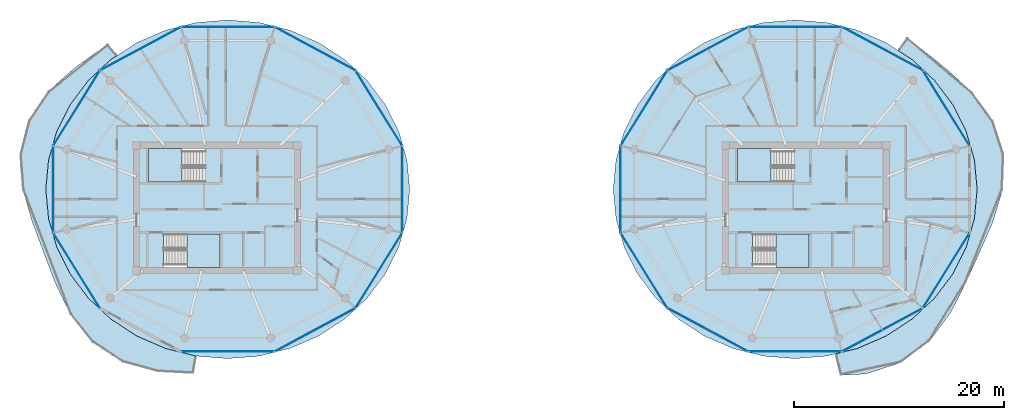
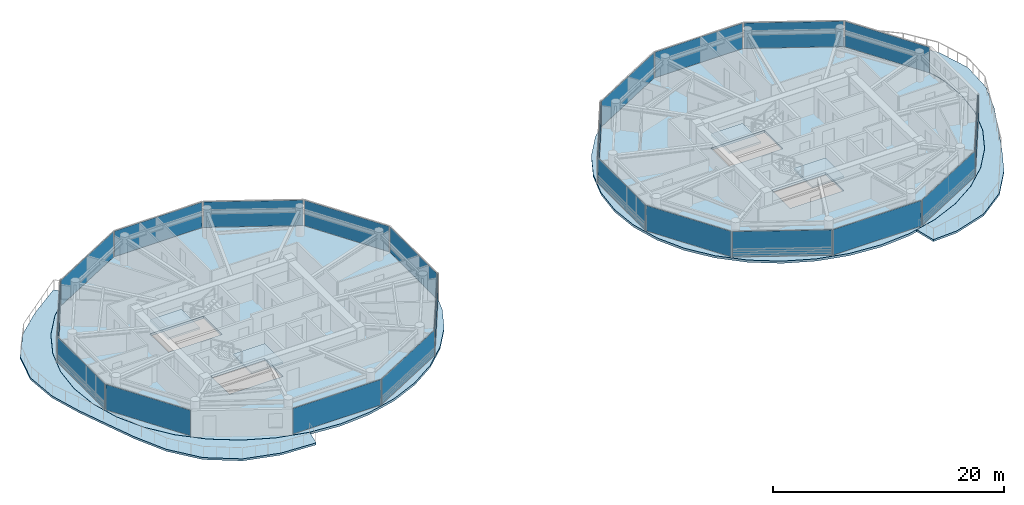
# One storey, part 12 of 23: 22 plates, 8 slabs, 26 elements without a shape of their own.
"""IFC4 building model written with IfcOpenShell, lengths in metres."""

from ifc_helpers import new_model, si_unit, direction, frame, origin, origin_2d, place, context, subcontext, project, spatial, polyline, rectangle, outline, extrude, source, transform, mapped, material, layer, layer_set, type_object, type_shapes, element, aggregate, save


model = new_model("IFC4")

# Units and contexts
model_context = context("Model", 3, precision=1e-05, world=origin(), true_north=direction((0.0, 1.0)))
body_context = subcontext(model_context, "Body", "Model", "MODEL_VIEW")
ifc_project = project(units=[si_unit("LENGTHUNIT", "METRE"), si_unit("AREAUNIT", "SQUARE_METRE"), si_unit("VOLUMEUNIT", "CUBIC_METRE"), si_unit("PLANEANGLEUNIT", "RADIAN"), si_unit("MASSUNIT", "GRAM", prefix="KILO")], contexts=[model_context])

# Site, building, storey
site_placement = place(None, origin())
site = spatial("IfcSite", under=ifc_project, at=site_placement, CompositionType="ELEMENT")
building_placement = place(site_placement, origin())
building = spatial("IfcBuilding", under=site, at=building_placement, Name="Norrkilde Senior Care Towers", CompositionType="ELEMENT")
storey_placement = place(building_placement, frame((0.0, 0.0, 158.699951171875)))
storey = spatial("IfcBuildingStorey", under=building, at=storey_placement, Name="L49", CompositionType="ELEMENT", Elevation=158.699951171875)

# Slabs
ifc_material_1 = material(Name="Concrete C50/60", Category="concrete")
ifc_layer_1 = layer(ifc_material_1, 0.215087890625)
ifc_layer_set_1 = layer_set([ifc_layer_1], Name="Concrete C50/60")
slab_type_1 = type_object("IfcSlabType", Name="Sinusoidal Balcony Ribbon Slab 215", PredefinedType="FLOOR", material=ifc_layer_set_1)
slab_1_placement = place(storey_placement, frame((0.0, 0.0, -0.21484375)))
element("IfcSlab", 1, at=slab_1_placement, inside=storey, type_object=slab_type_1, Name="L49 Drum W Swirling Senior Balcony 1", PredefinedType="FLOOR", context=body_context, shape_type="SweptSolid", body=[
    extrude(outline(polyline([(-33.642333984375, -15.568603515625), (-36.9658203125, -14.663330078125), (-39.831787109375, -12.78173828125), (-41.945068359375, -10.1220703125), (-43.3759765625, -7.15478515625), (-44.49072265625, -4.2236328125), (-45.571044921875, -1.315673828125), (-46.48095703125, 1.775390625), (-46.731201171875, 5.086181640625), (-45.904541015625, 8.3271484375), (-44.03076171875, 11.11181640625), (-41.553466796875, 13.31982421875), (-38.940185546875, 15.19091796875), (-38.362548828125, 15.60009765625), (-37.472900390625, 14.52001953125), (-38.098388671875, 14.112548828125), (-40.2314453125, 12.12744140625), (-41.961669921875, 9.827880859375), (-43.236328125, 7.28369140625), (-44.01708984375, 4.572021484375), (-44.280029296875, 1.775390625), (-44.01708984375, -1.021240234375), (-43.236328125, -3.73291015625), (-41.961669921875, -6.277099609375), (-40.2314453125, -8.57666015625), (-38.098388671875, -10.561767578125), (-35.62744140625, -12.171875), (-32.8935546875, -13.3583984375), (-29.97998046875, -14.0849609375), (-29.92431640625, -14.089599609375), (-30.232666015625, -15.7490234375), (-30.2529296875, -15.749267578125), (-33.642333984375, -15.568603515625)])), origin(), (0.0, 0.0, 1.0), 0.21484375),
])
slab_2_placement = place(storey_placement, frame((0.0, 0.0, -0.21484375)))
element("IfcSlab", 2, at=slab_2_placement, inside=storey, type_object=slab_type_1, Name="L49 Drum E Swirling Senior Balcony 1", PredefinedType="FLOOR", context=body_context, shape_type="SweptSolid", body=[
    extrude(outline(polyline([(43.230224609375, -7.064453125), (41.765625, -9.960205078125), (39.746337890625, -12.672119140625), (36.99560546875, -14.718505859375), (33.712646484375, -15.77685546875), (31.280029296875, -15.911376953125), (30.78662109375, -13.8837890625), (32.8935546875, -13.3583984375), (35.62744140625, -12.171875), (38.098388671875, -10.561767578125), (40.2314453125, -8.57666015625), (41.961669921875, -6.277099609375), (43.236328125, -3.73291015625), (44.01708984375, -1.021240234375), (44.280029296875, 1.775390625), (44.01708984375, 4.572021484375), (43.236328125, 7.28369140625), (41.961669921875, 9.827880859375), (40.2314453125, 12.12744140625), (38.098388671875, 14.112548828125), (36.7373046875, 14.99951171875), (37.6328125, 16.21240234375), (38.92724609375, 15.174072265625), (41.406005859375, 13.186767578125), (43.831787109375, 10.98828125), (45.80908203125, 8.289794921875), (46.83203125, 5.10546875), (46.71533203125, 1.775390625), (45.76611328125, -1.352783203125), (44.510498046875, -4.231201171875), (43.230224609375, -7.064453125)])), origin(), (0.0, 0.0, 1.0), 0.21484375),
])

# Stair, slab
ifc_material_2 = material(Name="Concrete C45/55", Category="concrete")
stair_type = type_object("IfcStairType", Name="Core Protected Dogleg Stair Typical 3050", PredefinedType="HALF_TURN_STAIR", material=ifc_material_2)
stair_1_placement = place(storey_placement, origin())
stair_1 = element("IfcStair", 3, at=stair_1_placement, inside=storey, type_object=stair_type, Name="L49 Protected Core Stair W1", PredefinedType="HALF_TURN_STAIR")
ifc_layer_2 = layer(ifc_material_2, 0.199951171875)
ifc_layer_set_2 = layer_set([ifc_layer_2], Name="Concrete C45/55")
slab_type_2 = type_object("IfcSlabType", Name="Stair Landing Slab 200", PredefinedType="LANDING", material=ifc_layer_set_2)
slab_3_placement = place(storey_placement, frame((0.0, 0.0, 1.324951171875)))
slab_3 = element("IfcSlab", 4, at=slab_3_placement, type_object=slab_type_2, Name="ST-W1 landing 1", PredefinedType="LANDING", context=body_context, shape_type="SweptSolid", body=[
    extrude(outline(polyline([(-31.340087890625, 5.639892578125), (-34.5, 5.639892578125), (-34.5, 2.449951171875), (-31.340087890625, 2.449951171875), (-31.340087890625, 5.639892578125)])), origin(), (0.0, 0.0, 1.0), 0.2001953125),
])
aggregate(stair_1, [slab_3])

stair_2_placement = place(storey_placement, origin())
stair_2 = element("IfcStair", 5, at=stair_2_placement, inside=storey, type_object=stair_type, Name="L49 Protected Core Stair W2", PredefinedType="HALF_TURN_STAIR")
slab_4_placement = place(storey_placement, frame((0.0, 0.0, 1.324951171875)))
slab_4 = element("IfcSlab", 6, at=slab_4_placement, type_object=slab_type_2, Name="ST-W2 landing 1", PredefinedType="LANDING", context=body_context, shape_type="SweptSolid", body=[
    extrude(outline(polyline([(-30.860107421875, -5.639892578125), (-27.699951171875, -5.639892578125), (-27.699951171875, -2.449951171875), (-30.860107421875, -2.449951171875), (-30.860107421875, -5.639892578125)])), origin(), (0.0, 0.0, 1.0), 0.2001953125),
])
aggregate(stair_2, [slab_4])

stair_3_placement = place(storey_placement, origin())
stair_3 = element("IfcStair", 7, at=stair_3_placement, inside=storey, type_object=stair_type, Name="L49 Protected Core Stair E1", PredefinedType="HALF_TURN_STAIR")
slab_5_placement = place(storey_placement, frame((0.0, 0.0, 1.324951171875)))
slab_5 = element("IfcSlab", 8, at=slab_5_placement, type_object=slab_type_2, Name="ST-E1 landing 1", PredefinedType="LANDING", context=body_context, shape_type="SweptSolid", body=[
    extrude(outline(polyline([(24.659912109375, 5.639892578125), (21.5, 5.639892578125), (21.5, 2.449951171875), (24.659912109375, 2.449951171875), (24.659912109375, 5.639892578125)])), origin(), (0.0, 0.0, 1.0), 0.2001953125),
])
aggregate(stair_3, [slab_5])

stair_4_placement = place(storey_placement, origin())
stair_4 = element("IfcStair", 9, at=stair_4_placement, inside=storey, type_object=stair_type, Name="L49 Protected Core Stair E2", PredefinedType="HALF_TURN_STAIR")
slab_6_placement = place(storey_placement, frame((0.0, 0.0, 1.324951171875)))
slab_6 = element("IfcSlab", 10, at=slab_6_placement, type_object=slab_type_2, Name="ST-E2 landing 1", PredefinedType="LANDING", context=body_context, shape_type="SweptSolid", body=[
    extrude(outline(polyline([(25.139892578125, -5.639892578125), (28.300048828125, -5.639892578125), (28.300048828125, -2.449951171875), (25.139892578125, -2.449951171875), (25.139892578125, -5.639892578125)])), origin(), (0.0, 0.0, 1.0), 0.2001953125),
])
aggregate(stair_4, [slab_6])

# Slabs
ifc_layer_3 = layer(ifc_material_1, 0.239990234375)
ifc_layer_set_3 = layer_set([ifc_layer_3], Name="Concrete C50/60")
slab_type_3 = type_object("IfcSlabType", Name="Tower Residence Floor Slab 240", PredefinedType="FLOOR", material=ifc_layer_set_3)
slab_7_placement = place(storey_placement, frame((0.0, 0.0, -0.239990234375)))
element("IfcSlab", 11, at=slab_7_placement, inside=storey, type_object=slab_type_3, Name="L49 Drum W Structural Floor Slab", PredefinedType="FLOOR", context=body_context, shape_type="SweptSolid", body=[
    extrude(outline(polyline([(-10.71826171875, -3.731201171875), (-11.99267578125, -6.274658203125), (-13.722412109375, -8.573486328125), (-15.854736328125, -10.557861328125), (-18.324951171875, -12.167724609375), (-21.05810546875, -13.353759765625), (-23.970947265625, -14.080078125), (-26.97509765625, -14.32470703125), (-29.97900390625, -14.080078125), (-32.891845703125, -13.353759765625), (-35.625, -12.167724609375), (-38.09521484375, -10.557861328125), (-40.2275390625, -8.573486328125), (-41.957275390625, -6.274658203125), (-43.231689453125, -3.731201171875), (-44.01220703125, -1.020263671875), (-44.27490234375, 1.775390625), (-44.01220703125, 4.571044921875), (-43.231689453125, 7.281982421875), (-41.957275390625, 9.825439453125), (-40.2275390625, 12.124267578125), (-38.09521484375, 14.108642578125), (-35.625, 15.71826171875), (-32.891845703125, 16.904296875), (-29.97900390625, 17.630859375), (-26.97509765625, 17.875244140625), (-23.970947265625, 17.630859375), (-21.05810546875, 16.904296875), (-18.324951171875, 15.71826171875), (-15.854736328125, 14.108642578125), (-13.722412109375, 12.124267578125), (-11.99267578125, 9.825439453125), (-10.71826171875, 7.281982421875), (-9.937744140625, 4.571044921875), (-9.675048828125, 1.775390625), (-9.937744140625, -1.020263671875), (-10.71826171875, -3.731201171875)]), holes=[polyline([(-34.48193359375, 2.468017578125), (-29.117919921875, 2.468017578125), (-29.117919921875, 5.639892578125), (-34.48193359375, 5.639892578125), (-34.48193359375, 2.468017578125)]), polyline([(-27.718017578125, -5.639892578125), (-27.718017578125, -2.468017578125), (-33.08203125, -2.468017578125), (-33.08203125, -5.639892578125), (-27.718017578125, -5.639892578125)])]), origin(), (0.0, 0.0, 1.0), 0.239990234375),
])
slab_8_placement = place(storey_placement, frame((0.0, 0.0, -0.239990234375)))
element("IfcSlab", 12, at=slab_8_placement, inside=storey, type_object=slab_type_3, Name="L49 Drum E Structural Floor Slab", PredefinedType="FLOOR", context=body_context, shape_type="SweptSolid", body=[
    extrude(outline(polyline([(43.231689453125, -3.731201171875), (41.957275390625, -6.274658203125), (40.2275390625, -8.573486328125), (38.09521484375, -10.557861328125), (35.625, -12.167724609375), (32.891845703125, -13.353759765625), (29.97900390625, -14.080078125), (26.97509765625, -14.32470703125), (23.970947265625, -14.080078125), (21.05810546875, -13.353759765625), (18.324951171875, -12.167724609375), (15.854736328125, -10.557861328125), (13.722412109375, -8.573486328125), (11.99267578125, -6.274658203125), (10.71826171875, -3.731201171875), (9.937744140625, -1.020263671875), (9.675048828125, 1.775390625), (9.937744140625, 4.571044921875), (10.71826171875, 7.281982421875), (11.99267578125, 9.825439453125), (13.722412109375, 12.124267578125), (15.854736328125, 14.108642578125), (18.324951171875, 15.71826171875), (21.05810546875, 16.904296875), (23.970947265625, 17.630859375), (26.97509765625, 17.875244140625), (29.97900390625, 17.630859375), (32.891845703125, 16.904296875), (35.625, 15.71826171875), (38.09521484375, 14.108642578125), (40.2275390625, 12.124267578125), (41.957275390625, 9.825439453125), (43.231689453125, 7.281982421875), (44.01220703125, 4.571044921875), (44.27490234375, 1.775390625), (44.01220703125, -1.020263671875), (43.231689453125, -3.731201171875)]), holes=[polyline([(21.51806640625, 2.468017578125), (26.882080078125, 2.468017578125), (26.882080078125, 5.639892578125), (21.51806640625, 5.639892578125), (21.51806640625, 2.468017578125)]), polyline([(28.281982421875, -5.639892578125), (28.281982421875, -2.468017578125), (22.91796875, -2.468017578125), (22.91796875, -5.639892578125), (28.281982421875, -5.639892578125)])]), origin(), (0.0, 0.0, 1.0), 0.239990234375),
])

# Curtain wall, plate
ifc_material_3 = material(Name="Triple Low-E Insulated Glazing", Category="glass")
ifc_layer_4 = layer(ifc_material_3, 0.18994140625)
ifc_layer_set_4 = layer_set([ifc_layer_4], Name="Triple Low-E Insulated Glazing")
curtain_wall_type = type_object("IfcCurtainWallType", Name="CW4 Zone 3 Senior Residence Curtain Wall", PredefinedType="NOTDEFINED", material=ifc_layer_set_4)
curtain_wall_1_placement = place(storey_placement, origin())
curtain_wall_1 = element("IfcCurtainWall", 13, at=curtain_wall_1_placement, inside=storey, type_object=curtain_wall_type, Name="L49 Drum W Curtain Wall 00", PredefinedType="NOTDEFINED")
ifc_layer_5 = layer(ifc_material_3, 0.035888671875)
ifc_layer_set_5 = layer_set([ifc_layer_5], Name="Triple Low-E Insulated Glazing")
plate_type = type_object("IfcPlateType", Name="Triple Low-E Vision Curtain Panel 36", PredefinedType="CURTAIN_PANEL", material=ifc_layer_set_5)
shared_shape_1 = source(origin(), body_context, "Body", "SweptSolid", [
    extrude(rectangle(XDim=8.301513671875, YDim=0.035888671875, at=origin_2d()), origin(), (0.0, 0.0, 1.0), 2.68994140625),
])
plate_1_placement = place(storey_placement, frame((-12.603759765625, 9.4931640625, 0.06005859375), z_axis=(0.0, 0.0, 1.0), x_axis=(0.52737270789, -0.84963405474, 0.0)))
plate_1 = element("IfcPlate", 14, at=plate_1_placement, type_object=plate_type, Name="CW-4 panel 1.1", PredefinedType="CURTAIN_PANEL", context=body_context, shape_type="MappedRepresentation", body=[
    mapped(shared_shape_1, transform((0.0, 0.0, 0.0), x_axis=(1.0, 0.0, 0.0), y_axis=(0.0, 1.0, 0.0), z_axis=(0.0, 0.0, 1.0), scale=1.0)),
])
aggregate(curtain_wall_1, [plate_1])

curtain_wall_2_placement = place(storey_placement, origin())
curtain_wall_2 = element("IfcCurtainWall", 15, at=curtain_wall_2_placement, inside=storey, type_object=curtain_wall_type, Name="L49 Drum W Curtain Wall 04", PredefinedType="NOTDEFINED")
plate_2_placement = place(storey_placement, frame((-41.346435546875, 9.4931640625, 0.06005859375), z_axis=(0.0, 0.0, 1.0), x_axis=(0.52737270789, 0.84963405474, 0.0)))
plate_2 = element("IfcPlate", 16, at=plate_2_placement, type_object=plate_type, Name="CW-4 panel 1.1", PredefinedType="CURTAIN_PANEL", context=body_context, shape_type="MappedRepresentation", body=[
    mapped(shared_shape_1, transform((0.0, 0.0, 0.0), x_axis=(1.0, 0.0, 0.0), y_axis=(0.0, 1.0, 0.0), z_axis=(0.0, 0.0, 1.0), scale=1.0)),
])
aggregate(curtain_wall_2, [plate_2])

curtain_wall_3_placement = place(storey_placement, origin())
curtain_wall_3 = element("IfcCurtainWall", 17, at=curtain_wall_3_placement, inside=storey, type_object=curtain_wall_type, Name="L49 Drum W Curtain Wall 06", PredefinedType="NOTDEFINED")
plate_3_placement = place(storey_placement, frame((-41.346435546875, -5.9423828125, 0.06005859375), z_axis=(0.0, 0.0, 1.0), x_axis=(-0.52737270789, 0.84963405474, 0.0)))
plate_3 = element("IfcPlate", 18, at=plate_3_placement, type_object=plate_type, Name="CW-4 panel 1.1", PredefinedType="CURTAIN_PANEL", context=body_context, shape_type="MappedRepresentation", body=[
    mapped(shared_shape_1, transform((0.0, 0.0, 0.0), x_axis=(1.0, 0.0, 0.0), y_axis=(0.0, 1.0, 0.0), z_axis=(0.0, 0.0, 1.0), scale=1.0)),
])
aggregate(curtain_wall_3, [plate_3])

curtain_wall_4_placement = place(storey_placement, origin())
curtain_wall_4 = element("IfcCurtainWall", 19, at=curtain_wall_4_placement, inside=storey, type_object=curtain_wall_type, Name="L49 Drum W Curtain Wall 10", PredefinedType="NOTDEFINED")
plate_4_placement = place(storey_placement, frame((-12.603759765625, -5.9423828125, 0.06005859375), z_axis=(0.0, 0.0, 1.0), x_axis=(-0.52737270789, -0.84963405474, 0.0)))
plate_4 = element("IfcPlate", 20, at=plate_4_placement, type_object=plate_type, Name="CW-4 panel 1.1", PredefinedType="CURTAIN_PANEL", context=body_context, shape_type="MappedRepresentation", body=[
    mapped(shared_shape_1, transform((0.0, 0.0, 0.0), x_axis=(1.0, 0.0, 0.0), y_axis=(0.0, 1.0, 0.0), z_axis=(0.0, 0.0, 1.0), scale=1.0)),
])
aggregate(curtain_wall_4, [plate_4])

curtain_wall_5_placement = place(storey_placement, origin())
curtain_wall_5 = element("IfcCurtainWall", 21, at=curtain_wall_5_placement, inside=storey, type_object=curtain_wall_type, Name="L49 Drum E Curtain Wall 00", PredefinedType="NOTDEFINED")
plate_5_placement = place(storey_placement, frame((41.346435546875, 9.4931640625, 0.06005859375), z_axis=(0.0, 0.0, 1.0), x_axis=(0.52737270789, -0.84963405474, 0.0)))
plate_5 = element("IfcPlate", 22, at=plate_5_placement, type_object=plate_type, Name="CW-4 panel 1.1", PredefinedType="CURTAIN_PANEL", context=body_context, shape_type="MappedRepresentation", body=[
    mapped(shared_shape_1, transform((0.0, 0.0, 0.0), x_axis=(1.0, 0.0, 0.0), y_axis=(0.0, 1.0, 0.0), z_axis=(0.0, 0.0, 1.0), scale=1.0)),
])
aggregate(curtain_wall_5, [plate_5])

curtain_wall_6_placement = place(storey_placement, origin())
curtain_wall_6 = element("IfcCurtainWall", 23, at=curtain_wall_6_placement, inside=storey, type_object=curtain_wall_type, Name="L49 Drum E Curtain Wall 04", PredefinedType="NOTDEFINED")
plate_6_placement = place(storey_placement, frame((12.603759765625, 9.4931640625, 0.06005859375), z_axis=(0.0, 0.0, 1.0), x_axis=(0.52737270789, 0.84963405474, 0.0)))
plate_6 = element("IfcPlate", 24, at=plate_6_placement, type_object=plate_type, Name="CW-4 panel 1.1", PredefinedType="CURTAIN_PANEL", context=body_context, shape_type="MappedRepresentation", body=[
    mapped(shared_shape_1, transform((0.0, 0.0, 0.0), x_axis=(1.0, 0.0, 0.0), y_axis=(0.0, 1.0, 0.0), z_axis=(0.0, 0.0, 1.0), scale=1.0)),
])
aggregate(curtain_wall_6, [plate_6])

curtain_wall_7_placement = place(storey_placement, origin())
curtain_wall_7 = element("IfcCurtainWall", 25, at=curtain_wall_7_placement, inside=storey, type_object=curtain_wall_type, Name="L49 Drum E Curtain Wall 06", PredefinedType="NOTDEFINED")
plate_7_placement = place(storey_placement, frame((12.603759765625, -5.9423828125, 0.06005859375), z_axis=(0.0, 0.0, 1.0), x_axis=(-0.52737270789, 0.84963405474, 0.0)))
plate_7 = element("IfcPlate", 26, at=plate_7_placement, type_object=plate_type, Name="CW-4 panel 1.1", PredefinedType="CURTAIN_PANEL", context=body_context, shape_type="MappedRepresentation", body=[
    mapped(shared_shape_1, transform((0.0, 0.0, 0.0), x_axis=(1.0, 0.0, 0.0), y_axis=(0.0, 1.0, 0.0), z_axis=(0.0, 0.0, 1.0), scale=1.0)),
])
aggregate(curtain_wall_7, [plate_7])

curtain_wall_8_placement = place(storey_placement, origin())
curtain_wall_8 = element("IfcCurtainWall", 27, at=curtain_wall_8_placement, inside=storey, type_object=curtain_wall_type, Name="L49 Drum E Curtain Wall 10", PredefinedType="NOTDEFINED")
plate_8_placement = place(storey_placement, frame((41.346435546875, -5.9423828125, 0.06005859375), z_axis=(0.0, 0.0, 1.0), x_axis=(-0.52737270789, -0.84963405474, 0.0)))
plate_8 = element("IfcPlate", 28, at=plate_8_placement, type_object=plate_type, Name="CW-4 panel 1.1", PredefinedType="CURTAIN_PANEL", context=body_context, shape_type="MappedRepresentation", body=[
    mapped(shared_shape_1, transform((0.0, 0.0, 0.0), x_axis=(1.0, 0.0, 0.0), y_axis=(0.0, 1.0, 0.0), z_axis=(0.0, 0.0, 1.0), scale=1.0)),
])
aggregate(curtain_wall_8, [plate_8])

curtain_wall_9_placement = place(storey_placement, origin())
curtain_wall_9 = element("IfcCurtainWall", 29, at=curtain_wall_9_placement, inside=storey, type_object=curtain_wall_type, Name="L49 Drum W Curtain Wall 01", PredefinedType="NOTDEFINED")
shared_shape_2 = source(origin(), body_context, "Body", "SweptSolid", [
    extrude(rectangle(XDim=8.61181640625, YDim=0.035888671875, at=origin_2d()), origin(), (0.0, 0.0, 1.0), 2.68994140625),
])
plate_9_placement = place(storey_placement, frame((-18.677734375, 15.142822265625, 0.06005859375), z_axis=(0.0, 0.0, 1.0), x_axis=(0.880999524059, -0.47311715104, 0.0)))
plate_9 = element("IfcPlate", 30, at=plate_9_placement, type_object=plate_type, Name="CW-4 panel 1.1", PredefinedType="CURTAIN_PANEL", context=body_context, shape_type="MappedRepresentation", body=[
    mapped(shared_shape_2, transform((0.0, 0.0, 0.0), x_axis=(1.0, 0.0, 0.0), y_axis=(0.0, 1.0, 0.0), z_axis=(0.0, 0.0, 1.0), scale=1.0)),
])
aggregate(curtain_wall_9, [plate_9])

curtain_wall_10_placement = place(storey_placement, origin())
curtain_wall_10 = element("IfcCurtainWall", 31, at=curtain_wall_10_placement, inside=storey, type_object=curtain_wall_type, Name="L49 Drum W Curtain Wall 03", PredefinedType="NOTDEFINED")
plate_10_placement = place(storey_placement, frame((-35.272216796875, 15.142822265625, 0.06005859375), z_axis=(0.0, 0.0, 1.0), x_axis=(0.880999524059, 0.47311715104, 0.0)))
plate_10 = element("IfcPlate", 32, at=plate_10_placement, type_object=plate_type, Name="CW-4 panel 1.1", PredefinedType="CURTAIN_PANEL", context=body_context, shape_type="MappedRepresentation", body=[
    mapped(shared_shape_2, transform((0.0, 0.0, 0.0), x_axis=(1.0, 0.0, 0.0), y_axis=(0.0, 1.0, 0.0), z_axis=(0.0, 0.0, 1.0), scale=1.0)),
])
aggregate(curtain_wall_10, [plate_10])

curtain_wall_11_placement = place(storey_placement, origin())
curtain_wall_11 = element("IfcCurtainWall", 33, at=curtain_wall_11_placement, inside=storey, type_object=curtain_wall_type, Name="L49 Drum W Curtain Wall 09", PredefinedType="NOTDEFINED")
plate_11_placement = place(storey_placement, frame((-18.677734375, -11.59228515625, 0.06005859375), z_axis=(0.0, 0.0, 1.0), x_axis=(-0.880999524059, -0.47311715104, 0.0)))
plate_11 = element("IfcPlate", 34, at=plate_11_placement, type_object=plate_type, Name="CW-4 panel 1.1", PredefinedType="CURTAIN_PANEL", context=body_context, shape_type="MappedRepresentation", body=[
    mapped(shared_shape_2, transform((0.0, 0.0, 0.0), x_axis=(1.0, 0.0, 0.0), y_axis=(0.0, 1.0, 0.0), z_axis=(0.0, 0.0, 1.0), scale=1.0)),
])
aggregate(curtain_wall_11, [plate_11])

curtain_wall_12_placement = place(storey_placement, origin())
curtain_wall_12 = element("IfcCurtainWall", 35, at=curtain_wall_12_placement, inside=storey, type_object=curtain_wall_type, Name="L49 Drum E Curtain Wall 01", PredefinedType="NOTDEFINED")
plate_12_placement = place(storey_placement, frame((35.272216796875, 15.142822265625, 0.06005859375), z_axis=(0.0, 0.0, 1.0), x_axis=(0.880999524059, -0.47311715104, 0.0)))
plate_12 = element("IfcPlate", 36, at=plate_12_placement, type_object=plate_type, Name="CW-4 panel 1.1", PredefinedType="CURTAIN_PANEL", context=body_context, shape_type="MappedRepresentation", body=[
    mapped(shared_shape_2, transform((0.0, 0.0, 0.0), x_axis=(1.0, 0.0, 0.0), y_axis=(0.0, 1.0, 0.0), z_axis=(0.0, 0.0, 1.0), scale=1.0)),
])
aggregate(curtain_wall_12, [plate_12])

curtain_wall_13_placement = place(storey_placement, origin())
curtain_wall_13 = element("IfcCurtainWall", 37, at=curtain_wall_13_placement, inside=storey, type_object=curtain_wall_type, Name="L49 Drum E Curtain Wall 03", PredefinedType="NOTDEFINED")
plate_13_placement = place(storey_placement, frame((18.677734375, 15.142822265625, 0.06005859375), z_axis=(0.0, 0.0, 1.0), x_axis=(0.880999524059, 0.47311715104, 0.0)))
plate_13 = element("IfcPlate", 38, at=plate_13_placement, type_object=plate_type, Name="CW-4 panel 1.1", PredefinedType="CURTAIN_PANEL", context=body_context, shape_type="MappedRepresentation", body=[
    mapped(shared_shape_2, transform((0.0, 0.0, 0.0), x_axis=(1.0, 0.0, 0.0), y_axis=(0.0, 1.0, 0.0), z_axis=(0.0, 0.0, 1.0), scale=1.0)),
])
aggregate(curtain_wall_13, [plate_13])

curtain_wall_14_placement = place(storey_placement, origin())
curtain_wall_14 = element("IfcCurtainWall", 39, at=curtain_wall_14_placement, inside=storey, type_object=curtain_wall_type, Name="L49 Drum E Curtain Wall 07", PredefinedType="NOTDEFINED")
plate_14_placement = place(storey_placement, frame((18.677734375, -11.59228515625, 0.06005859375), z_axis=(0.0, 0.0, 1.0), x_axis=(-0.880999524059, 0.47311715104, 0.0)))
plate_14 = element("IfcPlate", 40, at=plate_14_placement, type_object=plate_type, Name="CW-4 panel 1.1", PredefinedType="CURTAIN_PANEL", context=body_context, shape_type="MappedRepresentation", body=[
    mapped(shared_shape_2, transform((0.0, 0.0, 0.0), x_axis=(1.0, 0.0, 0.0), y_axis=(0.0, 1.0, 0.0), z_axis=(0.0, 0.0, 1.0), scale=1.0)),
])
aggregate(curtain_wall_14, [plate_14])

curtain_wall_15_placement = place(storey_placement, origin())
curtain_wall_15 = element("IfcCurtainWall", 41, at=curtain_wall_15_placement, inside=storey, type_object=curtain_wall_type, Name="L49 Drum E Curtain Wall 09", PredefinedType="NOTDEFINED")
plate_15_placement = place(storey_placement, frame((35.272216796875, -11.59228515625, 0.06005859375), z_axis=(0.0, 0.0, 1.0), x_axis=(-0.880999524059, -0.47311715104, 0.0)))
plate_15 = element("IfcPlate", 42, at=plate_15_placement, type_object=plate_type, Name="CW-4 panel 1.1", PredefinedType="CURTAIN_PANEL", context=body_context, shape_type="MappedRepresentation", body=[
    mapped(shared_shape_2, transform((0.0, 0.0, 0.0), x_axis=(1.0, 0.0, 0.0), y_axis=(0.0, 1.0, 0.0), z_axis=(0.0, 0.0, 1.0), scale=1.0)),
])
aggregate(curtain_wall_15, [plate_15])

curtain_wall_16_placement = place(storey_placement, origin())
curtain_wall_16 = element("IfcCurtainWall", 43, at=curtain_wall_16_placement, inside=storey, type_object=curtain_wall_type, Name="L49 Drum W Curtain Wall 02", PredefinedType="NOTDEFINED")
shared_shape_3 = source(origin(), body_context, "Body", "SweptSolid", [
    extrude(rectangle(XDim=8.762939453125, YDim=0.035888671875, at=origin_2d()), origin(), (0.0, 0.0, 1.0), 2.68994140625),
])
plate_16_placement = place(storey_placement, frame((-26.97509765625, 17.2109375, 0.06005859375), z_axis=(0.0, 0.0, 1.0), x_axis=(1.0, 0.0, 0.0)))
plate_16 = element("IfcPlate", 44, at=plate_16_placement, type_object=plate_type, Name="CW-4 panel 1.1", PredefinedType="CURTAIN_PANEL", context=body_context, shape_type="MappedRepresentation", body=[
    mapped(shared_shape_3, transform((0.0, 0.0, 0.0), x_axis=(1.0, 0.0, 0.0), y_axis=(0.0, 1.0, 0.0), z_axis=(0.0, 0.0, 1.0), scale=1.0)),
])
aggregate(curtain_wall_16, [plate_16])

curtain_wall_17_placement = place(storey_placement, origin())
curtain_wall_17 = element("IfcCurtainWall", 45, at=curtain_wall_17_placement, inside=storey, type_object=curtain_wall_type, Name="L49 Drum W Curtain Wall 08", PredefinedType="NOTDEFINED")
plate_17_placement = place(storey_placement, frame((-26.97509765625, -13.66015625, 0.06005859375), z_axis=(0.0, 0.0, 1.0), x_axis=(-1.0, 0.0, 0.0)))
plate_17 = element("IfcPlate", 46, at=plate_17_placement, type_object=plate_type, Name="CW-4 panel 1.1", PredefinedType="CURTAIN_PANEL", context=body_context, shape_type="MappedRepresentation", body=[
    mapped(shared_shape_3, transform((0.0, 0.0, 0.0), x_axis=(1.0, 0.0, 0.0), y_axis=(0.0, 1.0, 0.0), z_axis=(0.0, 0.0, 1.0), scale=1.0)),
])
aggregate(curtain_wall_17, [plate_17])

curtain_wall_18_placement = place(storey_placement, origin())
curtain_wall_18 = element("IfcCurtainWall", 47, at=curtain_wall_18_placement, inside=storey, type_object=curtain_wall_type, Name="L49 Drum E Curtain Wall 02", PredefinedType="NOTDEFINED")
plate_18_placement = place(storey_placement, frame((26.97509765625, 17.2109375, 0.06005859375), z_axis=(0.0, 0.0, 1.0), x_axis=(1.0, 0.0, 0.0)))
plate_18 = element("IfcPlate", 48, at=plate_18_placement, type_object=plate_type, Name="CW-4 panel 1.1", PredefinedType="CURTAIN_PANEL", context=body_context, shape_type="MappedRepresentation", body=[
    mapped(shared_shape_3, transform((0.0, 0.0, 0.0), x_axis=(1.0, 0.0, 0.0), y_axis=(0.0, 1.0, 0.0), z_axis=(0.0, 0.0, 1.0), scale=1.0)),
])
aggregate(curtain_wall_18, [plate_18])

curtain_wall_19_placement = place(storey_placement, origin())
curtain_wall_19 = element("IfcCurtainWall", 49, at=curtain_wall_19_placement, inside=storey, type_object=curtain_wall_type, Name="L49 Drum E Curtain Wall 08", PredefinedType="NOTDEFINED")
plate_19_placement = place(storey_placement, frame((26.97509765625, -13.66015625, 0.06005859375), z_axis=(0.0, 0.0, 1.0), x_axis=(-1.0, 0.0, 0.0)))
plate_19 = element("IfcPlate", 50, at=plate_19_placement, type_object=plate_type, Name="CW-4 panel 1.1", PredefinedType="CURTAIN_PANEL", context=body_context, shape_type="MappedRepresentation", body=[
    mapped(shared_shape_3, transform((0.0, 0.0, 0.0), x_axis=(1.0, 0.0, 0.0), y_axis=(0.0, 1.0, 0.0), z_axis=(0.0, 0.0, 1.0), scale=1.0)),
])
aggregate(curtain_wall_19, [plate_19])

curtain_wall_20_placement = place(storey_placement, origin())
curtain_wall_20 = element("IfcCurtainWall", 51, at=curtain_wall_20_placement, inside=storey, type_object=curtain_wall_type, Name="L49 Drum W Curtain Wall 05", PredefinedType="NOTDEFINED")
shared_shape_4 = source(origin(), body_context, "Body", "SweptSolid", [
    extrude(rectangle(XDim=8.141845703125, YDim=0.035888671875, at=origin_2d()), origin(), (0.0, 0.0, 1.0), 2.68994140625),
])
type_shapes(plate_type, [shared_shape_1, shared_shape_2, shared_shape_3, shared_shape_4])
plate_20_placement = place(storey_placement, frame((-43.569580078125, 1.775390625, 0.06005859375), z_axis=(0.0, 0.0, 1.0), x_axis=(0.0, 1.0, 0.0)))
plate_20 = element("IfcPlate", 52, at=plate_20_placement, type_object=plate_type, Name="CW-4 panel 1.1", PredefinedType="CURTAIN_PANEL", context=body_context, shape_type="MappedRepresentation", body=[
    mapped(shared_shape_4, transform((0.0, 0.0, 0.0), x_axis=(1.0, 0.0, 0.0), y_axis=(0.0, 1.0, 0.0), z_axis=(0.0, 0.0, 1.0), scale=1.0)),
])
aggregate(curtain_wall_20, [plate_20])

curtain_wall_21_placement = place(storey_placement, origin())
curtain_wall_21 = element("IfcCurtainWall", 53, at=curtain_wall_21_placement, inside=storey, type_object=curtain_wall_type, Name="L49 Drum W Curtain Wall 11", PredefinedType="NOTDEFINED")
plate_21_placement = place(storey_placement, frame((-10.38037109375, 1.775390625, 0.06005859375), z_axis=(0.0, 0.0, 1.0), x_axis=(0.0, -1.0, 0.0)))
plate_21 = element("IfcPlate", 54, at=plate_21_placement, type_object=plate_type, Name="CW-4 panel 1.1", PredefinedType="CURTAIN_PANEL", context=body_context, shape_type="MappedRepresentation", body=[
    mapped(shared_shape_4, transform((0.0, 0.0, 0.0), x_axis=(1.0, 0.0, 0.0), y_axis=(0.0, 1.0, 0.0), z_axis=(0.0, 0.0, 1.0), scale=1.0)),
])
aggregate(curtain_wall_21, [plate_21])

curtain_wall_22_placement = place(storey_placement, origin())
curtain_wall_22 = element("IfcCurtainWall", 55, at=curtain_wall_22_placement, inside=storey, type_object=curtain_wall_type, Name="L49 Drum E Curtain Wall 05", PredefinedType="NOTDEFINED")
plate_22_placement = place(storey_placement, frame((10.38037109375, 1.775390625, 0.06005859375), z_axis=(0.0, 0.0, 1.0), x_axis=(0.0, 1.0, 0.0)))
plate_22 = element("IfcPlate", 56, at=plate_22_placement, type_object=plate_type, Name="CW-4 panel 1.1", PredefinedType="CURTAIN_PANEL", context=body_context, shape_type="MappedRepresentation", body=[
    mapped(shared_shape_4, transform((0.0, 0.0, 0.0), x_axis=(1.0, 0.0, 0.0), y_axis=(0.0, 1.0, 0.0), z_axis=(0.0, 0.0, 1.0), scale=1.0)),
])
aggregate(curtain_wall_22, [plate_22])

save(model, "model.ifc")
